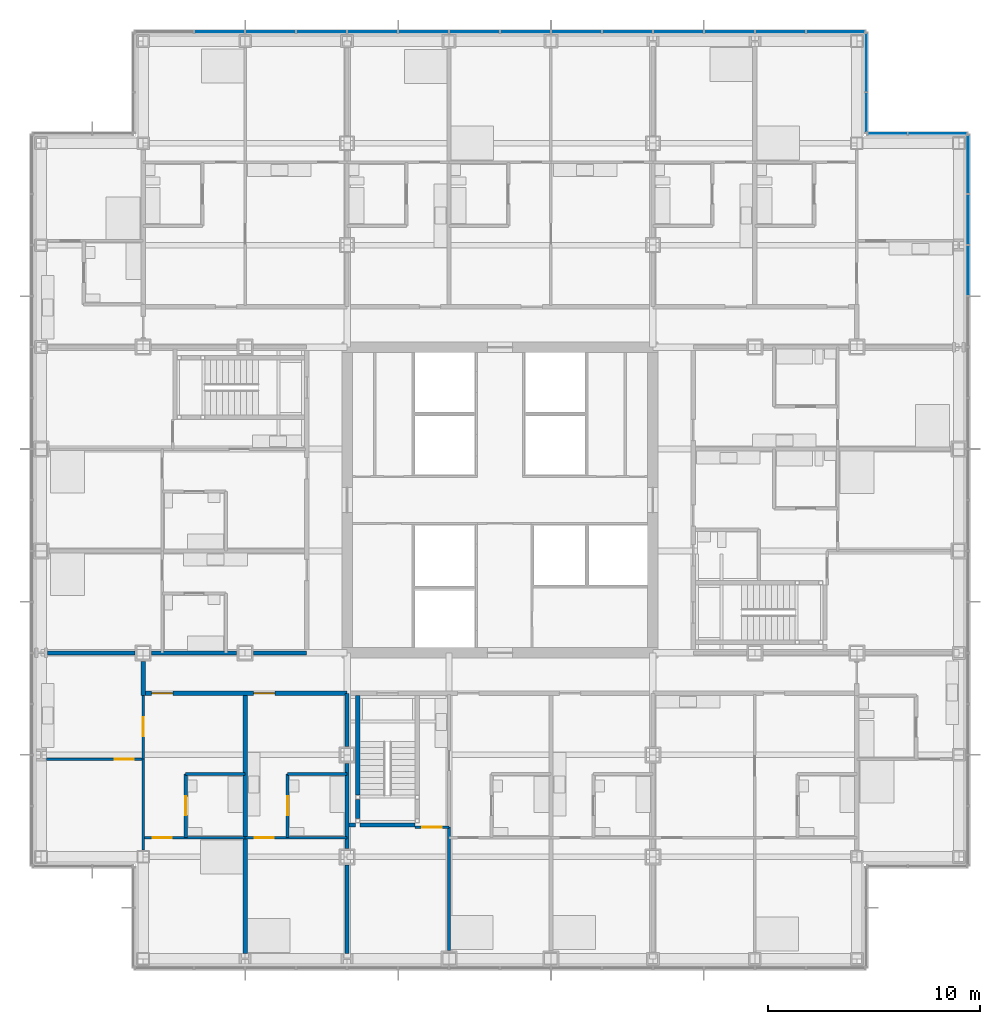
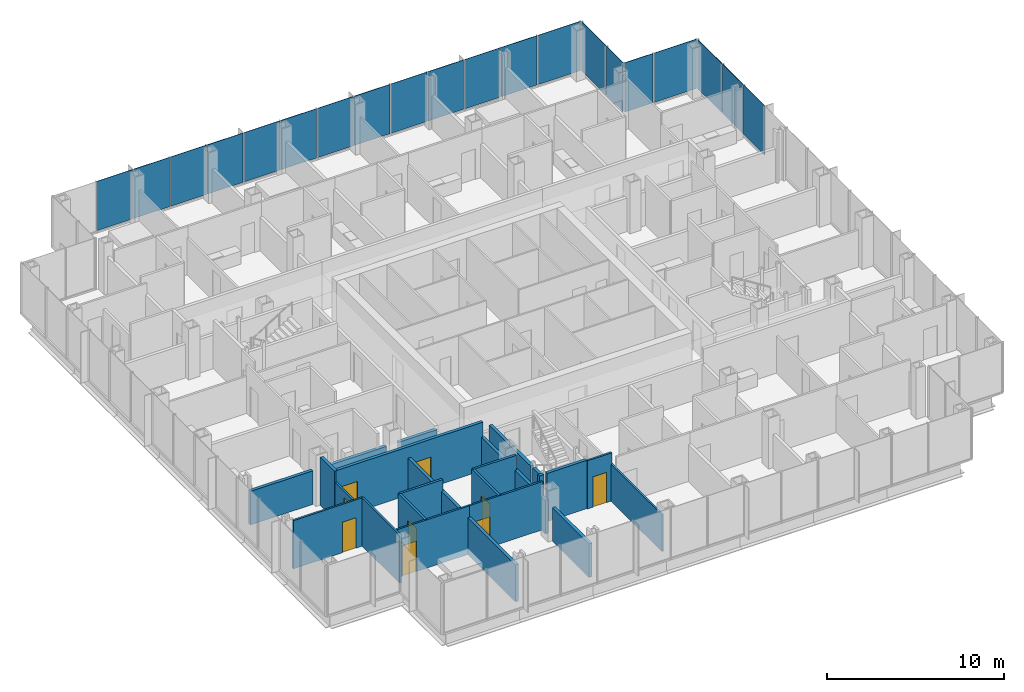
# One storey, part 13 of 21: 24 walls, 20 plates, 9 doors, 9 openings, 4 elements without a shape of their own.
"""IFC4 building model written with IfcOpenShell, lengths in metres."""

from ifc_helpers import new_model, si_unit, direction, frame, frame_2d, origin, origin_2d, place, context, subcontext, project, spatial, rectangle, extrude, material, layer, layer_set, type_object, element, fill, aggregate, save


model = new_model("IFC4")

# Units and contexts
model_context = context("Model", 3, precision=1e-05, world=origin(), true_north=direction((0.0, 1.0)))
body_context = subcontext(model_context, "Body", "Model", "MODEL_VIEW")
ifc_project = project(units=[si_unit("LENGTHUNIT", "METRE"), si_unit("AREAUNIT", "SQUARE_METRE"), si_unit("VOLUMEUNIT", "CUBIC_METRE"), si_unit("PLANEANGLEUNIT", "RADIAN"), si_unit("MASSUNIT", "GRAM", prefix="KILO")], contexts=[model_context])

# Site, building, storey
site_placement = place(None, origin())
site = spatial("IfcSite", under=ifc_project, at=site_placement, CompositionType="ELEMENT")
building_placement = place(site_placement, origin())
building = spatial("IfcBuilding", under=site, at=building_placement, Name="Kvirike Care Tower", CompositionType="ELEMENT")
storey_placement = place(building_placement, frame((0.0, 0.0, 34.0)))
storey = spatial("IfcBuildingStorey", under=building, at=storey_placement, Name="L08", CompositionType="ELEMENT", Elevation=34.0)

# Curtain wall, plates
ifc_material_1 = material(Name="Anodised aluminium stick system", Category="aluminium")
curtain_wall_type = type_object("IfcCurtainWallType", Name="CW-A STICK CURTAIN WALL", PredefinedType="NOTDEFINED", material=ifc_material_1)
curtain_wall_1_placement = place(storey_placement, origin())
curtain_wall_1 = element("IfcCurtainWall", 1, at=curtain_wall_1_placement, inside=storey, type_object=curtain_wall_type, Name="Curtain wall L08 face 7", PredefinedType="NOTDEFINED")
ifc_material_2 = material(Name="Tinted double glazed unit", Category="glass")
ifc_layer_1 = layer(ifc_material_2, 0.031982421875)
ifc_layer_set_1 = layer_set([ifc_layer_1], Name="TINTED VISION PANEL 32")
plate_type = type_object("IfcPlateType", Name="TINTED VISION PANEL 32", PredefinedType="CURTAIN_PANEL", material=ifc_layer_set_1)
plate_1_placement = place(storey_placement, frame((43.64990234375, 46.800048828125, 0.10009765625), z_axis=(0.0, 0.0, 1.0), x_axis=(0.0, 1.0, 0.0)))
plate_1 = element("IfcPlate", 2, at=plate_1_placement, type_object=plate_type, Name="CW-A panel L08 face 7.12", PredefinedType="CURTAIN_PANEL", context=body_context, shape_type="SweptSolid", body=[
    extrude(rectangle(XDim=2.3349609375, YDim=0.031982421875, at=origin_2d()), origin(), (0.0, 0.0, 1.0), 3.39990234375),
])
plate_2_placement = place(storey_placement, frame((43.64990234375, 49.199951171875, 0.10009765625), z_axis=(0.0, 0.0, 1.0), x_axis=(0.0, 1.0, 0.0)))
plate_2 = element("IfcPlate", 3, at=plate_2_placement, type_object=plate_type, Name="CW-A panel L08 face 7.13", PredefinedType="CURTAIN_PANEL", context=body_context, shape_type="SweptSolid", body=[
    extrude(rectangle(XDim=2.3349609375, YDim=0.031982421875, at=origin_2d()), origin(), (0.0, 0.0, 1.0), 3.39990234375),
])
plate_3_placement = place(storey_placement, frame((43.64990234375, 51.808837890625, 0.10009765625), z_axis=(0.0, 0.0, 1.0), x_axis=(0.0, 1.0, 0.0)))
plate_3 = element("IfcPlate", 4, at=plate_3_placement, type_object=plate_type, Name="CW-A panel L08 face 7.14", PredefinedType="CURTAIN_PANEL", context=body_context, shape_type="SweptSolid", body=[
    extrude(rectangle(XDim=2.75244140625, YDim=0.031982421875, at=origin_2d()), origin(), (0.0, 0.0, 1.0), 3.39990234375),
])
aggregate(curtain_wall_1, [plate_1, plate_2, plate_3])

curtain_wall_2_placement = place(storey_placement, origin())
curtain_wall_2 = element("IfcCurtainWall", 5, at=curtain_wall_2_placement, inside=storey, type_object=curtain_wall_type, Name="Curtain wall L08 face 8", PredefinedType="NOTDEFINED")
plate_4_placement = place(storey_placement, frame((42.208740234375, 53.25, 0.10009765625), z_axis=(0.0, 0.0, 1.0), x_axis=(-1.0, 0.0, 0.0)))
plate_4 = element("IfcPlate", 6, at=plate_4_placement, type_object=plate_type, Name="CW-A panel L08 face 8.1", PredefinedType="CURTAIN_PANEL", context=body_context, shape_type="SweptSolid", body=[
    extrude(rectangle(XDim=2.75244140625, YDim=0.031982421875, at=origin_2d()), origin(), (0.0, 0.0, 1.0), 3.39990234375),
])
plate_5_placement = place(storey_placement, frame((39.84130859375, 53.25, 0.10009765625), z_axis=(0.0, 0.0, 1.0), x_axis=(-1.0, 0.0, 0.0)))
plate_5 = element("IfcPlate", 7, at=plate_5_placement, type_object=plate_type, Name="CW-A panel L08 face 8.2", PredefinedType="CURTAIN_PANEL", context=body_context, shape_type="SweptSolid", body=[
    extrude(rectangle(XDim=1.8525390625, YDim=0.031982421875, at=origin_2d()), origin(), (0.0, 0.0, 1.0), 3.39990234375),
])
aggregate(curtain_wall_2, [plate_4, plate_5])

curtain_wall_3_placement = place(storey_placement, origin())
curtain_wall_3 = element("IfcCurtainWall", 8, at=curtain_wall_3_placement, inside=storey, type_object=curtain_wall_type, Name="Curtain wall L08 face 9", PredefinedType="NOTDEFINED")
plate_6_placement = place(storey_placement, frame((38.85009765625, 54.2412109375, 0.10009765625), z_axis=(0.0, 0.0, 1.0), x_axis=(0.0, 1.0, 0.0)))
plate_6 = element("IfcPlate", 9, at=plate_6_placement, type_object=plate_type, Name="CW-A panel L08 face 9.1", PredefinedType="CURTAIN_PANEL", context=body_context, shape_type="SweptSolid", body=[
    extrude(rectangle(XDim=1.8525390625, YDim=0.031982421875, at=origin_2d()), origin(), (0.0, 0.0, 1.0), 3.39990234375),
])
plate_7_placement = place(storey_placement, frame((38.85009765625, 56.608642578125, 0.10009765625), z_axis=(0.0, 0.0, 1.0), x_axis=(0.0, 1.0, 0.0)))
plate_7 = element("IfcPlate", 10, at=plate_7_placement, type_object=plate_type, Name="CW-A panel L08 face 9.2", PredefinedType="CURTAIN_PANEL", context=body_context, shape_type="SweptSolid", body=[
    extrude(rectangle(XDim=2.75244140625, YDim=0.031982421875, at=origin_2d()), origin(), (0.0, 0.0, 1.0), 3.39990234375),
])
aggregate(curtain_wall_3, [plate_6, plate_7])

curtain_wall_4_placement = place(storey_placement, origin())
curtain_wall_4 = element("IfcCurtainWall", 11, at=curtain_wall_4_placement, inside=storey, type_object=curtain_wall_type, Name="Curtain wall L08 face 10", PredefinedType="NOTDEFINED")
plate_8_placement = place(storey_placement, frame((37.40869140625, 58.050048828125, 0.10009765625), z_axis=(0.0, 0.0, 1.0), x_axis=(-1.0, 0.0, 0.0)))
plate_8 = element("IfcPlate", 12, at=plate_8_placement, type_object=plate_type, Name="CW-A panel L08 face 10.1", PredefinedType="CURTAIN_PANEL", context=body_context, shape_type="SweptSolid", body=[
    extrude(rectangle(XDim=2.75244140625, YDim=0.031982421875, at=origin_2d()), origin(), (0.0, 0.0, 1.0), 3.39990234375),
])
plate_9_placement = place(storey_placement, frame((34.800048828125, 58.050048828125, 0.10009765625), z_axis=(0.0, 0.0, 1.0), x_axis=(-1.0, 0.0, 0.0)))
plate_9 = element("IfcPlate", 13, at=plate_9_placement, type_object=plate_type, Name="CW-A panel L08 face 10.2", PredefinedType="CURTAIN_PANEL", context=body_context, shape_type="SweptSolid", body=[
    extrude(rectangle(XDim=2.3349609375, YDim=0.031982421875, at=origin_2d()), origin(), (0.0, 0.0, 1.0), 3.39990234375),
])
plate_10_placement = place(storey_placement, frame((32.39990234375, 58.050048828125, 0.10009765625), z_axis=(0.0, 0.0, 1.0), x_axis=(-1.0, 0.0, 0.0)))
plate_10 = element("IfcPlate", 14, at=plate_10_placement, type_object=plate_type, Name="CW-A panel L08 face 10.3", PredefinedType="CURTAIN_PANEL", context=body_context, shape_type="SweptSolid", body=[
    extrude(rectangle(XDim=2.3349609375, YDim=0.031982421875, at=origin_2d()), origin(), (0.0, 0.0, 1.0), 3.39990234375),
])
plate_11_placement = place(storey_placement, frame((30.0, 58.050048828125, 0.10009765625), z_axis=(0.0, 0.0, 1.0), x_axis=(-1.0, 0.0, 0.0)))
plate_11 = element("IfcPlate", 15, at=plate_11_placement, type_object=plate_type, Name="CW-A panel L08 face 10.4", PredefinedType="CURTAIN_PANEL", context=body_context, shape_type="SweptSolid", body=[
    extrude(rectangle(XDim=2.3349609375, YDim=0.031982421875, at=origin_2d()), origin(), (0.0, 0.0, 1.0), 3.39990234375),
])
plate_12_placement = place(storey_placement, frame((27.60009765625, 58.050048828125, 0.10009765625), z_axis=(0.0, 0.0, 1.0), x_axis=(-1.0, 0.0, 0.0)))
plate_12 = element("IfcPlate", 16, at=plate_12_placement, type_object=plate_type, Name="CW-A panel L08 face 10.5", PredefinedType="CURTAIN_PANEL", context=body_context, shape_type="SweptSolid", body=[
    extrude(rectangle(XDim=2.3349609375, YDim=0.031982421875, at=origin_2d()), origin(), (0.0, 0.0, 1.0), 3.39990234375),
])
plate_13_placement = place(storey_placement, frame((25.199951171875, 58.050048828125, 0.10009765625), z_axis=(0.0, 0.0, 1.0), x_axis=(-1.0, 0.0, 0.0)))
plate_13 = element("IfcPlate", 17, at=plate_13_placement, type_object=plate_type, Name="CW-A panel L08 face 10.6", PredefinedType="CURTAIN_PANEL", context=body_context, shape_type="SweptSolid", body=[
    extrude(rectangle(XDim=2.3349609375, YDim=0.031982421875, at=origin_2d()), origin(), (0.0, 0.0, 1.0), 3.39990234375),
])
plate_14_placement = place(storey_placement, frame((22.800048828125, 58.050048828125, 0.10009765625), z_axis=(0.0, 0.0, 1.0), x_axis=(-1.0, 0.0, 0.0)))
plate_14 = element("IfcPlate", 18, at=plate_14_placement, type_object=plate_type, Name="CW-A panel L08 face 10.7", PredefinedType="CURTAIN_PANEL", context=body_context, shape_type="SweptSolid", body=[
    extrude(rectangle(XDim=2.3349609375, YDim=0.031982421875, at=origin_2d()), origin(), (0.0, 0.0, 1.0), 3.39990234375),
])
plate_15_placement = place(storey_placement, frame((20.39990234375, 58.050048828125, 0.10009765625), z_axis=(0.0, 0.0, 1.0), x_axis=(-1.0, 0.0, 0.0)))
plate_15 = element("IfcPlate", 19, at=plate_15_placement, type_object=plate_type, Name="CW-A panel L08 face 10.8", PredefinedType="CURTAIN_PANEL", context=body_context, shape_type="SweptSolid", body=[
    extrude(rectangle(XDim=2.3349609375, YDim=0.031982421875, at=origin_2d()), origin(), (0.0, 0.0, 1.0), 3.39990234375),
])
plate_16_placement = place(storey_placement, frame((18.0, 58.050048828125, 0.10009765625), z_axis=(0.0, 0.0, 1.0), x_axis=(-1.0, 0.0, 0.0)))
plate_16 = element("IfcPlate", 20, at=plate_16_placement, type_object=plate_type, Name="CW-A panel L08 face 10.9", PredefinedType="CURTAIN_PANEL", context=body_context, shape_type="SweptSolid", body=[
    extrude(rectangle(XDim=2.3349609375, YDim=0.031982421875, at=origin_2d()), origin(), (0.0, 0.0, 1.0), 3.39990234375),
])
plate_17_placement = place(storey_placement, frame((15.60009765625, 58.050048828125, 0.10009765625), z_axis=(0.0, 0.0, 1.0), x_axis=(-1.0, 0.0, 0.0)))
plate_17 = element("IfcPlate", 21, at=plate_17_placement, type_object=plate_type, Name="CW-A panel L08 face 10.10", PredefinedType="CURTAIN_PANEL", context=body_context, shape_type="SweptSolid", body=[
    extrude(rectangle(XDim=2.3349609375, YDim=0.031982421875, at=origin_2d()), origin(), (0.0, 0.0, 1.0), 3.39990234375),
])
plate_18_placement = place(storey_placement, frame((13.199951171875, 58.050048828125, 0.10009765625), z_axis=(0.0, 0.0, 1.0), x_axis=(-1.0, 0.0, 0.0)))
plate_18 = element("IfcPlate", 22, at=plate_18_placement, type_object=plate_type, Name="CW-A panel L08 face 10.11", PredefinedType="CURTAIN_PANEL", context=body_context, shape_type="SweptSolid", body=[
    extrude(rectangle(XDim=2.3349609375, YDim=0.031982421875, at=origin_2d()), origin(), (0.0, 0.0, 1.0), 3.39990234375),
])
plate_19_placement = place(storey_placement, frame((10.800048828125, 58.050048828125, 0.10009765625), z_axis=(0.0, 0.0, 1.0), x_axis=(-1.0, 0.0, 0.0)))
plate_19 = element("IfcPlate", 23, at=plate_19_placement, type_object=plate_type, Name="CW-A panel L08 face 10.12", PredefinedType="CURTAIN_PANEL", context=body_context, shape_type="SweptSolid", body=[
    extrude(rectangle(XDim=2.3349609375, YDim=0.031982421875, at=origin_2d()), origin(), (0.0, 0.0, 1.0), 3.39990234375),
])
plate_20_placement = place(storey_placement, frame((8.39990234375, 58.050048828125, 0.10009765625), z_axis=(0.0, 0.0, 1.0), x_axis=(-1.0, 0.0, 0.0)))
plate_20 = element("IfcPlate", 24, at=plate_20_placement, type_object=plate_type, Name="CW-A panel L08 face 10.13", PredefinedType="CURTAIN_PANEL", context=body_context, shape_type="SweptSolid", body=[
    extrude(rectangle(XDim=2.3349609375, YDim=0.031982421875, at=origin_2d()), origin(), (0.0, 0.0, 1.0), 3.39990234375),
])
aggregate(curtain_wall_4, [plate_8, plate_9, plate_10, plate_11, plate_12, plate_13, plate_14, plate_15, plate_16, plate_17, plate_18, plate_19, plate_20])

# Wall, opening, door
ifc_material_3 = material(Name="Moisture-resistant board partition", Category="gypsum")
ifc_layer_2 = layer(ifc_material_3, 0.14990234375)
ifc_layer_set_2 = layer_set([ifc_layer_2], Name="BATHROOM WALL 150")
wall_type_1 = type_object("IfcWallType", Name="BATHROOM WALL 150", PredefinedType="PARTITIONING", material=ifc_layer_set_2)
wall_1_placement = place(storey_placement, frame((6.800048828125, 20.10009765625, 0.0), z_axis=(0.0, 0.0, 1.0), x_axis=(0.0, 1.0, 0.0)))
wall_1 = element("IfcWall", 25, at=wall_1_placement, inside=storey, type_object=wall_type_1, Name="Bathroom Wall 150 L08", PredefinedType="PARTITIONING", context=body_context, shape_type="SweptSolid", body=[
    extrude(rectangle(XDim=3.0, YDim=0.14990234375, at=frame_2d((1.5, 0.0))), origin(), (0.0, 0.0, 1.0), 3.330078125),
])
opening_1_placement = place(wall_1_placement, frame((1.050048828125, 0.0, 0.0)))
opening_1 = element("IfcOpeningElement", 26, at=opening_1_placement, cuts=wall_1, Name="Opening 08-001", PredefinedType="OPENING", context=body_context, shape_type="SweptSolid", body=[
    extrude(rectangle(XDim=0.89990234375, YDim=2.10009765625, at=frame_2d((0.449951171875, 1.050048828125))), frame((0.0, 0.08544921875, 0.0), z_axis=(0.0, -1.0, 0.0), x_axis=(1.0, 0.0, 0.0)), (0.0, 0.0, 1.0), 0.1708984375),
])
ifc_material_4 = material(Name="Timber door set", Category="wood")
door_type_1 = type_object("IfcDoorType", Name="BATHROOM DOOR 900", OperationType="SINGLE_SWING_RIGHT", PredefinedType="DOOR", material=ifc_material_4)
door_1_placement = place(opening_1_placement, frame((0.89990234375, 0.0, 0.0), z_axis=(0.0, 0.0, 1.0), x_axis=(-1.0, 0.0, 0.0)))
door_1 = element("IfcDoor", 27, at=door_1_placement, inside=storey, type_object=door_type_1, Name="Bathroom door", OperationType="SINGLE_SWING_LEFT", OverallHeight=2.10009765625, OverallWidth=0.89990234375, PredefinedType="DOOR", context=body_context, shape_type="SweptSolid", body=[
    extrude(rectangle(XDim=0.89990234375, YDim=2.10009765625, at=frame_2d((0.449951171875, 1.050048828125))), frame((0.0, 0.02197265625, 0.0), z_axis=(0.0, -1.0, 0.0), x_axis=(1.0, 0.0, 0.0)), (0.0, 0.0, 1.0), 0.0439453125),
])
fill(opening_1, door_1)

# Wall
wall_2_placement = place(storey_placement, frame((6.800048828125, 23.10009765625, 0.0), z_axis=(0.0, 0.0, 1.0), x_axis=(1.0, 0.0, 0.0)))
element("IfcWall", 28, at=wall_2_placement, inside=storey, type_object=wall_type_1, Name="Bathroom Wall 150 L08", PredefinedType="PARTITIONING", context=body_context, shape_type="SweptSolid", body=[
    extrude(rectangle(XDim=2.800048828125, YDim=0.14990234375, at=frame_2d((1.39990234375, 0.0))), origin(), (0.0, 0.0, 1.0), 3.330078125),
])

# Wall, opening, door
wall_3_placement = place(storey_placement, frame((11.60009765625, 20.10009765625, 0.0), z_axis=(0.0, 0.0, 1.0), x_axis=(0.0, 1.0, 0.0)))
wall_3 = element("IfcWall", 29, at=wall_3_placement, inside=storey, type_object=wall_type_1, Name="Bathroom Wall 150 L08", PredefinedType="PARTITIONING", context=body_context, shape_type="SweptSolid", body=[
    extrude(rectangle(XDim=3.0, YDim=0.14990234375, at=frame_2d((1.5, 0.0))), origin(), (0.0, 0.0, 1.0), 3.330078125),
])
opening_2_placement = place(wall_3_placement, frame((1.050048828125, 0.0, 0.0)))
opening_2 = element("IfcOpeningElement", 30, at=opening_2_placement, cuts=wall_3, Name="Opening 08-005", PredefinedType="OPENING", context=body_context, shape_type="SweptSolid", body=[
    extrude(rectangle(XDim=0.89990234375, YDim=2.10009765625, at=frame_2d((0.449951171875, 1.050048828125))), frame((0.0, 0.08544921875, 0.0), z_axis=(0.0, -1.0, 0.0), x_axis=(1.0, 0.0, 0.0)), (0.0, 0.0, 1.0), 0.1708984375),
])
door_2_placement = place(opening_2_placement, frame((0.89990234375, 0.0, 0.0), z_axis=(0.0, 0.0, 1.0), x_axis=(-1.0, 0.0, 0.0)))
door_2 = element("IfcDoor", 31, at=door_2_placement, inside=storey, type_object=door_type_1, Name="Bathroom door", OperationType="SINGLE_SWING_LEFT", OverallHeight=2.10009765625, OverallWidth=0.89990234375, PredefinedType="DOOR", context=body_context, shape_type="SweptSolid", body=[
    extrude(rectangle(XDim=0.89990234375, YDim=2.10009765625, at=frame_2d((0.449951171875, 1.050048828125))), frame((0.0, 0.02197265625, 0.0), z_axis=(0.0, -1.0, 0.0), x_axis=(1.0, 0.0, 0.0)), (0.0, 0.0, 1.0), 0.0439453125),
])
fill(opening_2, door_2)

# Wall
wall_4_placement = place(storey_placement, frame((11.60009765625, 23.10009765625, 0.0), z_axis=(0.0, 0.0, 1.0), x_axis=(1.0, 0.0, 0.0)))
element("IfcWall", 32, at=wall_4_placement, inside=storey, type_object=wall_type_1, Name="Bathroom Wall 150 L08", PredefinedType="PARTITIONING", context=body_context, shape_type="SweptSolid", body=[
    extrude(rectangle(XDim=2.7998046875, YDim=0.14990234375, at=frame_2d((1.39990234375, 0.0))), origin(), (0.0, 0.0, 1.0), 3.330078125),
])

# Wall, openings, doors
ifc_material_5 = material(Name="Plasterboard corridor wall", Category="gypsum")
ifc_layer_3 = layer(ifc_material_5, 0.199951171875)
ifc_layer_set_3 = layer_set([ifc_layer_3], Name="CORRIDOR WALL 200")
wall_type_2 = type_object("IfcWallType", Name="CORRIDOR WALL 200", PredefinedType="PARTITIONING", material=ifc_layer_set_3)
wall_5_placement = place(storey_placement, frame((4.800048828125, 26.89990234375, 0.0), z_axis=(0.0, 0.0, 1.0), x_axis=(1.0, 0.0, 0.0)))
wall_5 = element("IfcWall", 33, at=wall_5_placement, inside=storey, type_object=wall_type_2, Name="Corridor Wall 200 L08", PredefinedType="PARTITIONING", context=body_context, shape_type="SweptSolid", body=[
    extrude(rectangle(XDim=9.599853515625, YDim=0.199951171875, at=frame_2d((4.7998046875, 0.0))), origin(), (0.0, 0.0, 1.0), 3.330078125),
])
opening_3_placement = place(wall_5_placement, frame((0.39990234375, 0.0, 0.0)))
opening_3 = element("IfcOpeningElement", 34, at=opening_3_placement, cuts=wall_5, Name="Opening 08-007", PredefinedType="OPENING", context=body_context, shape_type="SweptSolid", body=[
    extrude(rectangle(XDim=1.0, YDim=2.10009765625, at=frame_2d((0.5, 1.050048828125))), frame((0.0, 0.110595703125, 0.0), z_axis=(0.0, -1.0, 0.0), x_axis=(1.0, 0.0, 0.0)), (0.0, 0.0, 1.0), 0.220947265625),
])
opening_4_placement = place(wall_5_placement, frame((5.199951171875, 0.0, 0.0)))
opening_4 = element("IfcOpeningElement", 35, at=opening_4_placement, cuts=wall_5, Name="Opening 08-008", PredefinedType="OPENING", context=body_context, shape_type="SweptSolid", body=[
    extrude(rectangle(XDim=1.0, YDim=2.10009765625, at=frame_2d((0.5, 1.050048828125))), frame((0.0, 0.110595703125, 0.0), z_axis=(0.0, -1.0, 0.0), x_axis=(1.0, 0.0, 0.0)), (0.0, 0.0, 1.0), 0.220947265625),
])
ifc_material_6 = material(Name="Timber door set", Category="wood")
door_type_2 = type_object("IfcDoorType", Name="FLAT ENTRANCE DOOR 1000", OperationType="SINGLE_SWING_LEFT", PredefinedType="DOOR", material=ifc_material_6)
door_3_placement = place(opening_3_placement, frame((1.0, 0.0, 0.0), z_axis=(0.0, 0.0, 1.0), x_axis=(-1.0, 0.0, 0.0)))
door_3 = element("IfcDoor", 36, at=door_3_placement, inside=storey, type_object=door_type_2, Name="One-bedroom apartment entrance", OperationType="SINGLE_SWING_LEFT", OverallHeight=2.10009765625, OverallWidth=1.0, PredefinedType="DOOR", context=body_context, shape_type="SweptSolid", body=[
    extrude(rectangle(XDim=1.0, YDim=2.10009765625, at=frame_2d((0.5, 1.050048828125))), frame((0.0, 0.02685546875, 0.0), z_axis=(0.0, -1.0, 0.0), x_axis=(1.0, 0.0, 0.0)), (0.0, 0.0, 1.0), 0.053955078125),
])
fill(opening_3, door_3)
door_4_placement = place(opening_4_placement, frame((1.0, 0.0, 0.0), z_axis=(0.0, 0.0, 1.0), x_axis=(-1.0, 0.0, 0.0)))
door_4 = element("IfcDoor", 37, at=door_4_placement, inside=storey, type_object=door_type_2, Name="Studio apartment entrance", OperationType="SINGLE_SWING_LEFT", OverallHeight=2.10009765625, OverallWidth=1.0, PredefinedType="DOOR", context=body_context, shape_type="SweptSolid", body=[
    extrude(rectangle(XDim=1.0, YDim=2.10009765625, at=frame_2d((0.5, 1.050048828125))), frame((0.0, 0.02685546875, 0.0), z_axis=(0.0, -1.0, 0.0), x_axis=(1.0, 0.0, 0.0)), (0.0, 0.0, 1.0), 0.053955078125),
])
fill(opening_4, door_4)

# Wall
wall_6_placement = place(storey_placement, frame((4.800048828125, 26.800048828125, 0.0), z_axis=(0.0, 0.0, 1.0), x_axis=(0.0, 1.0, 0.0)))
element("IfcWall", 38, at=wall_6_placement, inside=storey, type_object=wall_type_2, Name="Corridor Wall 200 L08", PredefinedType="PARTITIONING", context=body_context, shape_type="SweptSolid", body=[
    extrude(rectangle(XDim=1.60498046875, YDim=0.199951171875, at=frame_2d((0.802490234375, 0.0))), origin(), (0.0, 0.0, 1.0), 3.330078125),
])

# Wall, opening, door
ifc_material_7 = material(Name="Plasterboard partition", Category="gypsum")
ifc_layer_4 = layer(ifc_material_7, 0.1201171875)
ifc_layer_set_4 = layer_set([ifc_layer_4], Name="PARTITION 120")
wall_type_3 = type_object("IfcWallType", Name="PARTITION 120", PredefinedType="PARTITIONING", material=ifc_layer_set_4)
wall_7_placement = place(storey_placement, frame((4.800048828125, 23.800048828125, 0.0), z_axis=(0.0, 0.0, 1.0), x_axis=(0.0, 1.0, 0.0)))
wall_7 = element("IfcWall", 39, at=wall_7_placement, inside=storey, type_object=wall_type_3, Name="Partition 120 L08", PredefinedType="PARTITIONING", context=body_context, shape_type="SweptSolid", body=[
    extrude(rectangle(XDim=3.0, YDim=0.1201171875, at=frame_2d((1.5, 0.0))), origin(), (0.0, 0.0, 1.0), 2.550048828125),
])
opening_5_placement = place(wall_7_placement, frame((1.074951171875, 0.0, 0.0)))
opening_5 = element("IfcOpeningElement", 40, at=opening_5_placement, cuts=wall_7, Name="Opening 08-002", PredefinedType="OPENING", context=body_context, shape_type="SweptSolid", body=[
    extrude(rectangle(XDim=0.89990234375, YDim=2.10009765625, at=frame_2d((0.449951171875, 1.050048828125))), frame((0.0, 0.070556640625, 0.0), z_axis=(0.0, -1.0, 0.0), x_axis=(1.0, 0.0, 0.0)), (0.0, 0.0, 1.0), 0.14111328125),
])
ifc_material_8 = material(Name="Timber door set", Category="wood")
door_type_3 = type_object("IfcDoorType", Name="INTERNAL DOOR 900", OperationType="SINGLE_SWING_LEFT", PredefinedType="DOOR", material=ifc_material_8)
door_5_placement = place(opening_5_placement, frame((0.89990234375, 0.0, 0.0), z_axis=(0.0, 0.0, 1.0), x_axis=(-1.0, 0.0, 0.0)))
door_5 = element("IfcDoor", 41, at=door_5_placement, inside=storey, type_object=door_type_3, Name="Hall door", OperationType="SINGLE_SWING_RIGHT", OverallHeight=2.10009765625, OverallWidth=0.89990234375, PredefinedType="DOOR", context=body_context, shape_type="SweptSolid", body=[
    extrude(rectangle(XDim=0.89990234375, YDim=2.10009765625, at=frame_2d((0.449951171875, 1.050048828125))), frame((0.0, 0.02197265625, 0.0), z_axis=(0.0, -1.0, 0.0), x_axis=(1.0, 0.0, 0.0)), (0.0, 0.0, 1.0), 0.0439453125),
])
fill(opening_5, door_5)

wall_8_placement = place(storey_placement, frame((0.2470703125, 23.800048828125, 0.0), z_axis=(0.0, 0.0, 1.0), x_axis=(1.0, 0.0, 0.0)))
wall_8 = element("IfcWall", 42, at=wall_8_placement, inside=storey, type_object=wall_type_3, Name="Partition 120 L08", PredefinedType="PARTITIONING", context=body_context, shape_type="SweptSolid", body=[
    extrude(rectangle(XDim=4.552978515625, YDim=0.1201171875, at=frame_2d((2.2763671875, 0.0))), origin(), (0.0, 0.0, 1.0), 3.330078125),
])
opening_6_placement = place(wall_8_placement, frame((3.202880859375, 0.0, 0.0)))
opening_6 = element("IfcOpeningElement", 43, at=opening_6_placement, cuts=wall_8, Name="Opening 08-003", PredefinedType="OPENING", context=body_context, shape_type="SweptSolid", body=[
    extrude(rectangle(XDim=0.89990234375, YDim=2.10009765625, at=frame_2d((0.449951171875, 1.050048828125))), frame((0.0, 0.070556640625, 0.0), z_axis=(0.0, -1.0, 0.0), x_axis=(1.0, 0.0, 0.0)), (0.0, 0.0, 1.0), 0.14111328125),
])
door_6_placement = place(opening_6_placement, frame((0.89990234375, 0.0, 0.0), z_axis=(0.0, 0.0, 1.0), x_axis=(-1.0, 0.0, 0.0)))
door_6 = element("IfcDoor", 44, at=door_6_placement, inside=storey, type_object=door_type_3, Name="Apartment living room door", OperationType="SINGLE_SWING_RIGHT", OverallHeight=2.10009765625, OverallWidth=0.89990234375, PredefinedType="DOOR", context=body_context, shape_type="SweptSolid", body=[
    extrude(rectangle(XDim=0.89990234375, YDim=2.10009765625, at=frame_2d((0.449951171875, 1.050048828125))), frame((0.0, 0.02197265625, 0.0), z_axis=(0.0, -1.0, 0.0), x_axis=(1.0, 0.0, 0.0)), (0.0, 0.0, 1.0), 0.0439453125),
])
fill(opening_6, door_6)

wall_9_placement = place(storey_placement, frame((4.800048828125, 20.10009765625, 0.0), z_axis=(0.0, 0.0, 1.0), x_axis=(1.0, 0.0, 0.0)))
wall_9 = element("IfcWall", 45, at=wall_9_placement, inside=storey, type_object=wall_type_3, Name="Partition 120 L08", PredefinedType="PARTITIONING", context=body_context, shape_type="SweptSolid", body=[
    extrude(rectangle(XDim=4.800048828125, YDim=0.1201171875, at=frame_2d((2.39990234375, 0.0))), origin(), (0.0, 0.0, 1.0), 3.330078125),
])
opening_7_placement = place(wall_9_placement, frame((0.449951171875, 0.0, 0.0)))
opening_7 = element("IfcOpeningElement", 46, at=opening_7_placement, cuts=wall_9, Name="Opening 08-004", PredefinedType="OPENING", context=body_context, shape_type="SweptSolid", body=[
    extrude(rectangle(XDim=0.89990234375, YDim=2.10009765625, at=frame_2d((0.449951171875, 1.050048828125))), frame((0.0, 0.070556640625, 0.0), z_axis=(0.0, -1.0, 0.0), x_axis=(1.0, 0.0, 0.0)), (0.0, 0.0, 1.0), 0.14111328125),
])
door_7_placement = place(opening_7_placement, origin())
door_7 = element("IfcDoor", 47, at=door_7_placement, inside=storey, type_object=door_type_3, Name="Apartment bedroom door", OperationType="SINGLE_SWING_RIGHT", OverallHeight=2.10009765625, OverallWidth=0.89990234375, PredefinedType="DOOR", context=body_context, shape_type="SweptSolid", body=[
    extrude(rectangle(XDim=0.89990234375, YDim=2.10009765625, at=frame_2d((0.449951171875, 1.050048828125))), frame((0.0, 0.02197265625, 0.0), z_axis=(0.0, -1.0, 0.0), x_axis=(1.0, 0.0, 0.0)), (0.0, 0.0, 1.0), 0.0439453125),
])
fill(opening_7, door_7)

# Wall
wall_10_placement = place(storey_placement, frame((4.800048828125, 19.52001953125, 0.0), z_axis=(0.0, 0.0, 1.0), x_axis=(0.0, 1.0, 0.0)))
element("IfcWall", 48, at=wall_10_placement, inside=storey, type_object=wall_type_3, Name="Partition 120 L08", PredefinedType="PARTITIONING", context=body_context, shape_type="SweptSolid", body=[
    extrude(rectangle(XDim=4.280029296875, YDim=0.1201171875, at=frame_2d((2.14013671875, 0.0))), origin(), (0.0, 0.0, 1.0), 3.330078125),
])

# Wall, opening, door
wall_11_placement = place(storey_placement, frame((9.60009765625, 20.10009765625, 0.0), z_axis=(0.0, 0.0, 1.0), x_axis=(1.0, 0.0, 0.0)))
wall_11 = element("IfcWall", 49, at=wall_11_placement, inside=storey, type_object=wall_type_3, Name="Partition 120 L08", PredefinedType="PARTITIONING", context=body_context, shape_type="SweptSolid", body=[
    extrude(rectangle(XDim=4.7998046875, YDim=0.1201171875, at=frame_2d((2.39990234375, 0.0))), origin(), (0.0, 0.0, 1.0), 3.330078125),
])
opening_8_placement = place(wall_11_placement, frame((0.449951171875, 0.0, 0.0)))
opening_8 = element("IfcOpeningElement", 50, at=opening_8_placement, cuts=wall_11, Name="Opening 08-006", PredefinedType="OPENING", context=body_context, shape_type="SweptSolid", body=[
    extrude(rectangle(XDim=0.89990234375, YDim=2.10009765625, at=frame_2d((0.449951171875, 1.050048828125))), frame((0.0, 0.070556640625, 0.0), z_axis=(0.0, -1.0, 0.0), x_axis=(1.0, 0.0, 0.0)), (0.0, 0.0, 1.0), 0.14111328125),
])
door_8_placement = place(opening_8_placement, origin())
door_8 = element("IfcDoor", 51, at=door_8_placement, inside=storey, type_object=door_type_3, Name="Studio apartment living room door", OperationType="SINGLE_SWING_RIGHT", OverallHeight=2.10009765625, OverallWidth=0.89990234375, PredefinedType="DOOR", context=body_context, shape_type="SweptSolid", body=[
    extrude(rectangle(XDim=0.89990234375, YDim=2.10009765625, at=frame_2d((0.449951171875, 1.050048828125))), frame((0.0, 0.02197265625, 0.0), z_axis=(0.0, -1.0, 0.0), x_axis=(1.0, 0.0, 0.0)), (0.0, 0.0, 1.0), 0.0439453125),
])
fill(opening_8, door_8)

wall_12_placement = place(storey_placement, frame((17.60009765625, 20.60009765625, 0.0), z_axis=(0.0, 0.0, 1.0), x_axis=(1.0, 0.0, 0.0)))
wall_12 = element("IfcWall", 52, at=wall_12_placement, inside=storey, type_object=wall_type_3, Name="Partition 120 L08", PredefinedType="PARTITIONING", context=body_context, shape_type="SweptSolid", body=[
    extrude(rectangle(XDim=1.599853515625, YDim=0.1201171875, at=frame_2d((0.7998046875, 0.0))), origin(), (0.0, 0.0, 1.0), 3.330078125),
])
opening_9_placement = place(wall_12_placement, frame((0.35009765625, 0.0, 0.0)))
opening_9 = element("IfcOpeningElement", 53, at=opening_9_placement, cuts=wall_12, Name="Opening 08-028", PredefinedType="OPENING", context=body_context, shape_type="SweptSolid", body=[
    extrude(rectangle(XDim=0.89990234375, YDim=2.10009765625, at=frame_2d((0.449951171875, 1.050048828125))), frame((0.0, 0.070556640625, 0.0), z_axis=(0.0, -1.0, 0.0), x_axis=(1.0, 0.0, 0.0)), (0.0, 0.0, 1.0), 0.14111328125),
])
door_9_placement = place(opening_9_placement, origin())
door_9 = element("IfcDoor", 54, at=door_9_placement, inside=storey, type_object=door_type_3, Name="Apartment living room door", OperationType="SINGLE_SWING_RIGHT", OverallHeight=2.10009765625, OverallWidth=0.89990234375, PredefinedType="DOOR", context=body_context, shape_type="SweptSolid", body=[
    extrude(rectangle(XDim=0.89990234375, YDim=2.10009765625, at=frame_2d((0.449951171875, 1.050048828125))), frame((0.0, 0.02197265625, 0.0), z_axis=(0.0, -1.0, 0.0), x_axis=(1.0, 0.0, 0.0)), (0.0, 0.0, 1.0), 0.0439453125),
])
fill(opening_9, door_9)

# Walls
wall_13_placement = place(storey_placement, frame((19.199951171875, 14.794921875, 0.0), z_axis=(0.0, 0.0, 1.0), x_axis=(0.0, 1.0, 0.0)))
element("IfcWall", 55, at=wall_13_placement, inside=storey, type_object=wall_type_3, Name="Partition 120 L08", PredefinedType="PARTITIONING", context=body_context, shape_type="SweptSolid", body=[
    extrude(rectangle(XDim=5.80517578125, YDim=0.1201171875, at=frame_2d((2.902587890625, 0.0))), origin(), (0.0, 0.0, 1.0), 2.550048828125),
])
ifc_material_9 = material(Name="Plasterboard party wall", Category="gypsum")
ifc_layer_5 = layer(ifc_material_9, 0.199951171875)
ifc_layer_set_5 = layer_set([ifc_layer_5], Name="PARTY WALL 200")
wall_type_4 = type_object("IfcWallType", Name="PARTY WALL 200", PredefinedType="PARTITIONING", material=ifc_layer_set_5)
wall_14_placement = place(storey_placement, frame((9.60009765625, 14.64697265625, 0.0), z_axis=(0.0, 0.0, 1.0), x_axis=(0.0, 1.0, 0.0)))
element("IfcWall", 56, at=wall_14_placement, inside=storey, type_object=wall_type_4, Name="Party Wall 200 L08", PredefinedType="PARTITIONING", context=body_context, shape_type="SweptSolid", body=[
    extrude(rectangle(XDim=12.153076171875, YDim=0.199951171875, at=frame_2d((6.07666015625, 0.0))), origin(), (0.0, 0.0, 1.0), 2.550048828125),
])
wall_15_placement = place(storey_placement, frame((12.5, 28.800048828125, 0.0), z_axis=(0.0, 0.0, 1.0), x_axis=(-1.0, 0.0, 0.0)))
element("IfcWall", 57, at=wall_15_placement, inside=storey, type_object=wall_type_4, Name="Party Wall 200 L08", PredefinedType="PARTITIONING", context=body_context, shape_type="SweptSolid", body=[
    extrude(rectangle(XDim=2.5048828125, YDim=0.199951171875, at=frame_2d((1.25244140625, 0.0))), origin(), (0.0, 0.0, 1.0), 2.320068359375),
])
wall_16_placement = place(storey_placement, frame((9.205078125, 28.800048828125, 0.0), z_axis=(0.0, 0.0, 1.0), x_axis=(-1.0, 0.0, 0.0)))
element("IfcWall", 58, at=wall_16_placement, inside=storey, type_object=wall_type_4, Name="Party Wall 200 L08", PredefinedType="PARTITIONING", context=body_context, shape_type="SweptSolid", body=[
    extrude(rectangle(XDim=4.010009765625, YDim=0.199951171875, at=frame_2d((2.0048828125, 0.0))), origin(), (0.0, 0.0, 1.0), 2.320068359375),
])
wall_17_placement = place(storey_placement, frame((4.405029296875, 28.800048828125, 0.0), z_axis=(0.0, 0.0, 1.0), x_axis=(-1.0, 0.0, 0.0)))
element("IfcWall", 59, at=wall_17_placement, inside=storey, type_object=wall_type_4, Name="Party Wall 200 L08", PredefinedType="PARTITIONING", context=body_context, shape_type="SweptSolid", body=[
    extrude(rectangle(XDim=4.1005859375, YDim=0.199951171875, at=frame_2d((2.05029296875, 0.0))), origin(), (0.0, 0.0, 1.0), 2.320068359375),
])
wall_18_placement = place(storey_placement, frame((14.39990234375, 14.64697265625, 0.0), z_axis=(0.0, 0.0, 1.0), x_axis=(0.0, 1.0, 0.0)))
element("IfcWall", 60, at=wall_18_placement, inside=storey, type_object=wall_type_4, Name="Party Wall 200 L08", PredefinedType="PARTITIONING", context=body_context, shape_type="SweptSolid", body=[
    extrude(rectangle(XDim=4.157958984375, YDim=0.199951171875, at=frame_2d((2.0791015625, 0.0))), origin(), (0.0, 0.0, 1.0), 2.320068359375),
])
wall_19_placement = place(storey_placement, frame((14.39990234375, 19.594970703125, 0.0), z_axis=(0.0, 0.0, 1.0), x_axis=(0.0, 1.0, 0.0)))
element("IfcWall", 61, at=wall_19_placement, inside=storey, type_object=wall_type_4, Name="Party Wall 200 L08", PredefinedType="PARTITIONING", context=body_context, shape_type="SweptSolid", body=[
    extrude(rectangle(XDim=4.010009765625, YDim=0.199951171875, at=frame_2d((2.0048828125, 0.0))), origin(), (0.0, 0.0, 1.0), 2.320068359375),
])
wall_20_placement = place(storey_placement, frame((14.39990234375, 24.39501953125, 0.0), z_axis=(0.0, 0.0, 1.0), x_axis=(0.0, 1.0, 0.0)))
element("IfcWall", 62, at=wall_20_placement, inside=storey, type_object=wall_type_4, Name="Party Wall 200 L08", PredefinedType="PARTITIONING", context=body_context, shape_type="SweptSolid", body=[
    extrude(rectangle(XDim=2.5048828125, YDim=0.199951171875, at=frame_2d((1.25244140625, 0.0))), origin(), (0.0, 0.0, 1.0), 2.320068359375),
])
ifc_material_10 = material(Name="Concrete C40/50", Category="concrete")
ifc_layer_6 = layer(ifc_material_10, 0.199951171875)
ifc_layer_set_6 = layer_set([ifc_layer_6], Name="STAIR WALL 200")
wall_type_5 = type_object("IfcWallType", Name="STAIR WALL 200", PredefinedType="SOLIDWALL", material=ifc_layer_set_6)
wall_21_placement = place(storey_placement, frame((14.89990234375, 21.0, 0.0), z_axis=(0.0, 0.0, 1.0), x_axis=(0.0, 1.0, 0.0)))
element("IfcWall", 63, at=wall_21_placement, inside=storey, type_object=wall_type_5, Name="Stair Wall 200 L08", PredefinedType="SOLIDWALL", context=body_context, shape_type="SweptSolid", body=[
    extrude(rectangle(XDim=0.89990234375, YDim=0.199951171875, at=frame_2d((0.449951171875, 0.0))), origin(), (0.0, 0.0, 1.0), 2.989990234375),
])
wall_22_placement = place(storey_placement, frame((14.89990234375, 22.10009765625, 0.0), z_axis=(0.0, 0.0, 1.0), x_axis=(0.0, 1.0, 0.0)))
element("IfcWall", 64, at=wall_22_placement, inside=storey, type_object=wall_type_5, Name="Stair Wall 200 L08", PredefinedType="SOLIDWALL", context=body_context, shape_type="SweptSolid", body=[
    extrude(rectangle(XDim=4.699951171875, YDim=0.199951171875, at=frame_2d((2.35009765625, 0.0))), origin(), (0.0, 0.0, 1.0), 2.989990234375),
])
wall_23_placement = place(storey_placement, frame((14.5, 20.699951171875, 0.0), z_axis=(0.0, 0.0, 1.0), x_axis=(1.0, 0.0, 0.0)))
element("IfcWall", 65, at=wall_23_placement, inside=storey, type_object=wall_type_5, Name="Stair Wall 200 L08", PredefinedType="SOLIDWALL", context=body_context, shape_type="SweptSolid", body=[
    extrude(rectangle(XDim=0.300048828125, YDim=0.199951171875, at=frame_2d((0.14990234375, 0.0))), origin(), (0.0, 0.0, 1.0), 3.330078125),
])
wall_24_placement = place(storey_placement, frame((15.0, 20.699951171875, 0.0), z_axis=(0.0, 0.0, 1.0), x_axis=(1.0, 0.0, 0.0)))
element("IfcWall", 66, at=wall_24_placement, inside=storey, type_object=wall_type_5, Name="Stair Wall 200 L08", PredefinedType="SOLIDWALL", context=body_context, shape_type="SweptSolid", body=[
    extrude(rectangle(XDim=2.60009765625, YDim=0.199951171875, at=frame_2d((1.300048828125, 0.0))), origin(), (0.0, 0.0, 1.0), 3.330078125),
])

save(model, "model.ifc")
